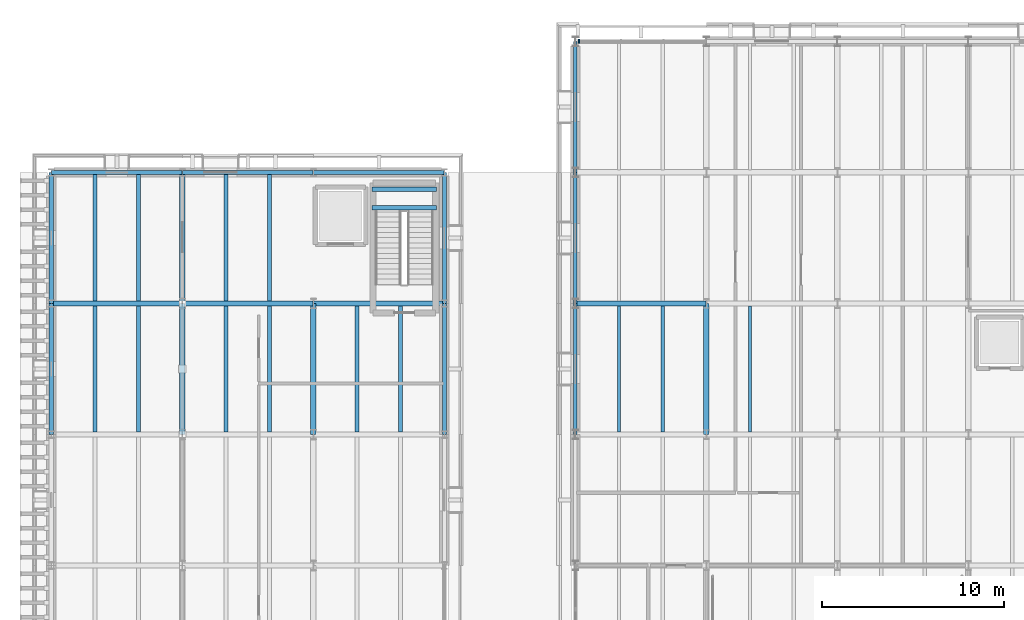
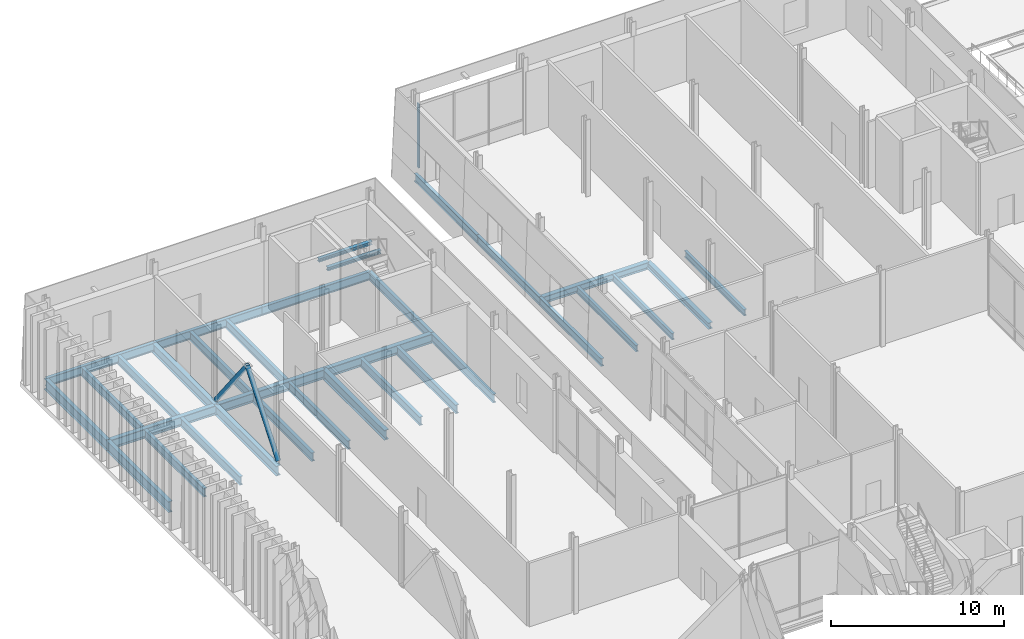
# One storey, part 31 of 120: 33 beams, 3 members, 1 element without a shape of its own.
"""IFC4 building model written with IfcOpenShell, lengths in metres."""

import ifcopenshell
import ifcopenshell.guid

model = None  # the IFC model being written
_history = None  # IfcOwnerHistory: only IFC2X3 demands one
_inside = {}  # id of a spatial element -> (the spatial element, [elements in it])
_under = {}  # id of a project, library or spatial element -> (it, [spatial elements below it])
_declared = {}  # id of a project -> (the project, [libraries it declares])
_typed = {}  # id of a type object -> (the type object, [elements of that type])
_made_of = {}  # id of a material, layer set ... -> (it, [elements and type objects made of it])


def new_model(schema):
    """Start an empty IFC model of exactly this schema.

    Asked for "IFC4X3", IfcOpenShell would pick the latest addendum, in which some entities
    have other attributes; the version numbers below select the first issue.
    IFC2X3 requires an IfcOwnerHistory on every rooted entity: one is made here for all.
    """
    global model, _history
    if schema == "IFC4X3":
        model = ifcopenshell.file(schema_version=(4, 3, 0, 0))
    else:
        model = ifcopenshell.file(schema=schema)
    _inside.clear()
    _under.clear()
    _declared.clear()
    _typed.clear()
    _made_of.clear()
    _history = None
    if model.schema == "IFC2X3":
        org = make("IfcOrganization", Name="unknown")
        user = make(
            "IfcPersonAndOrganization",
            ThePerson=make("IfcPerson", FamilyName="unknown"),
            TheOrganization=org,
        )
        app = make(
            "IfcApplication",
            ApplicationDeveloper=org,
            Version="unknown",
            ApplicationFullName="unknown",
            ApplicationIdentifier="unknown",
        )
        _history = make(
            "IfcOwnerHistory",
            OwningUser=user,
            OwningApplication=app,
            ChangeAction="ADDED",
            CreationDate=0,
        )
    return model


def make(cls, **values):
    """One entity of the class cls with the attributes given. An attribute that is None is left unset."""
    return model.create_entity(
        cls, **{name: value for name, value in values.items() if value is not None}
    )


def rooted(cls, **values):
    """An entity with a GlobalId (a new one), such as an element, a storey or a relation."""
    return make(cls, GlobalId=ifcopenshell.guid.new(), OwnerHistory=_history, **values)


def si_unit(unit_type, name, prefix=None):
    """IfcSIUnit, for example si_unit("LENGTHUNIT", "METRE", prefix="MILLI")."""
    return make("IfcSIUnit", UnitType=unit_type, Prefix=prefix, Name=name)


def assignment(units):
    """IfcUnitAssignment: the units of a project."""
    return None if units is None else make("IfcUnitAssignment", Units=units)


def point(xyz):
    """IfcCartesianPoint."""
    return None if xyz is None else make("IfcCartesianPoint", Coordinates=xyz)


def direction(xyz):
    """IfcDirection."""
    return None if xyz is None else make("IfcDirection", DirectionRatios=xyz)


def frame(location, z_axis=None, x_axis=None):
    """IfcAxis2Placement3D, a coordinate frame: its origin and axes. An axis left out is left unset."""
    return make(
        "IfcAxis2Placement3D",
        Location=point(location),
        Axis=direction(z_axis),
        RefDirection=direction(x_axis),
    )


def frame_2d(location, x_axis=None):
    """IfcAxis2Placement2D, a coordinate frame in the plane: its origin and x axis."""
    return make(
        "IfcAxis2Placement2D", Location=point(location), RefDirection=direction(x_axis)
    )


def origin():
    """The frame at (0, 0, 0) with its axes left unset."""
    return frame((0.0, 0.0, 0.0))


def origin_2d():
    """The frame at (0, 0) in the plane with its x axis left unset."""
    return frame_2d((0.0, 0.0))


def place(relative_to, where):
    """IfcLocalPlacement: puts the frame where relative to a parent placement (None: the world)."""
    return make(
        "IfcLocalPlacement", PlacementRelTo=relative_to, RelativePlacement=where
    )


def context(
    kind, dimensions, precision=None, world=None, true_north=None, identifier=None
):
    """IfcGeometricRepresentationContext, for example the 3D "Model" context."""
    return make(
        "IfcGeometricRepresentationContext",
        ContextIdentifier=identifier,
        ContextType=kind,
        CoordinateSpaceDimension=dimensions,
        Precision=precision,
        WorldCoordinateSystem=world,
        TrueNorth=true_north,
    )


def subcontext(parent, identifier, kind, view, scale=None):
    """IfcGeometricRepresentationSubContext, for example "Body" below "Model"."""
    return make(
        "IfcGeometricRepresentationSubContext",
        ContextIdentifier=identifier,
        ContextType=kind,
        ParentContext=parent,
        TargetScale=scale,
        TargetView=view,
    )


def project(units=None, contexts=None):
    """IfcProject with its units and contexts."""
    return rooted(
        "IfcProject",
        Name="project",
        RepresentationContexts=contexts,
        UnitsInContext=assignment(units),
    )


def spatial(cls, under=None, at=None, **own):
    """A site, building, storey or space (cls), placed at a placement, below another one or the project."""
    s = rooted(cls, ObjectPlacement=at, **own)
    if under is not None:
        _under.setdefault(under.id(), (under, []))[1].append(s)
    return s


def profile(cls, at=None, kind="AREA", **sizes):
    """A parametric profile (cls). Its sizes go by their IFC names, for example OverallWidth=200.0."""
    return make(cls, ProfileType=kind, Position=at, **sizes)


def rectangle(**sizes):
    """IfcRectangleProfileDef."""
    return profile("IfcRectangleProfileDef", **sizes)


def hollow_circle(**sizes):
    """IfcCircleHollowProfileDef."""
    return profile("IfcCircleHollowProfileDef", **sizes)


def i_section(**sizes):
    """IfcIShapeProfileDef."""
    return profile("IfcIShapeProfileDef", **sizes)


def extrude(swept, where, along, depth):
    """IfcExtrudedAreaSolid: the profile swept, set in the frame where, extruded along a direction by depth."""
    return make(
        "IfcExtrudedAreaSolid",
        SweptArea=swept,
        Position=where,
        ExtrudedDirection=direction(along),
        Depth=depth,
    )


def shape(context_of_items, identifier, shape_type, items):
    """IfcShapeRepresentation: the items that make up one representation, for example the "Body"."""
    return make(
        "IfcShapeRepresentation",
        ContextOfItems=context_of_items,
        RepresentationIdentifier=identifier,
        RepresentationType=shape_type,
        Items=items,
    )


def material(Name=None, Category=None):
    """IfcMaterial."""
    return make("IfcMaterial", Name=Name, Category=Category)


def layer(
    of_material, thickness, ventilated=None, Name=None, Category=None, Priority=None
):
    """IfcMaterialLayer: one layer of a wall or slab, of a material (None: an air gap)."""
    return make(
        "IfcMaterialLayer",
        Material=of_material,
        LayerThickness=thickness,
        IsVentilated=ventilated,
        Name=Name,
        Category=Category,
        Priority=Priority,
    )


def layer_set(layers, Name=None):
    """IfcMaterialLayerSet."""
    return make("IfcMaterialLayerSet", MaterialLayers=layers, LayerSetName=Name)


def material_profile(
    of_material, cross_section, Name=None, Category=None, Priority=None
):
    """IfcMaterialProfile: a cross section and its material."""
    return make(
        "IfcMaterialProfile",
        Name=Name,
        Material=of_material,
        Profile=cross_section,
        Priority=Priority,
        Category=Category,
    )


def profile_set(profiles, Name=None, composite=None):
    """IfcMaterialProfileSet."""
    return make(
        "IfcMaterialProfileSet",
        Name=Name,
        MaterialProfiles=profiles,
        CompositeProfile=composite,
    )


def made_of(thing, what):
    """Note that an element or type object is made of a material, layer set ...; save() writes the relation."""
    if what is not None:
        _made_of.setdefault(what.id(), (what, []))[1].append(thing)
    return thing


def type_object(cls, material=None, **own):
    """A type object (cls), such as IfcWallType, which elements share."""
    return made_of(rooted(cls, **own), material)


def element(
    cls,
    number,
    at=None,
    inside=None,
    cuts=None,
    type_object=None,
    material=None,
    context=None,
    identifier="Body",
    shape_type=None,
    held_by="IfcProductDefinitionShape",
    body=None,
    shapes=None,
    **own,
):
    """One element of the class cls, such as IfcWall. Its Tag is "e" and its number.

    at: its placement. inside: the storey or other place that contains it. cuts: it is an
    opening in that element (IfcRelVoidsElement). A single representation is given by context,
    identifier, shape_type and body (its items); several are given by shapes. held_by: the class
    of the entity that holds the representations. save() writes the other relations.
    """
    e = rooted(cls, Tag="e%d" % number, ObjectPlacement=at, **own)
    if body is not None:
        shapes = [shape(context, identifier, shape_type, body)]
    if shapes is not None:
        e.Representation = make(held_by, Representations=shapes)
    if inside is not None:
        _inside.setdefault(inside.id(), (inside, []))[1].append(e)
    if cuts is not None:
        rooted(
            "IfcRelVoidsElement", RelatingBuildingElement=cuts, RelatedOpeningElement=e
        )
    if type_object is not None:
        _typed.setdefault(type_object.id(), (type_object, []))[1].append(e)
    return made_of(e, material)


def aggregate(whole, parts):
    """IfcRelAggregates: a whole, such as a stair, and the parts it consists of."""
    return rooted("IfcRelAggregates", RelatingObject=whole, RelatedObjects=parts)


def save(model, path):
    """Write the relations noted so far, then the file.

    IfcRelAggregates (storeys below a building ...), IfcRelContainedInSpatialStructure (elements
    in a storey), IfcRelDefinesByType, IfcRelAssociatesMaterial and IfcRelDeclares: one each for
    every whole, place, type object, material and project.
    """
    for whole, parts in _under.values():
        aggregate(whole, parts)
    for where, things in _inside.values():
        rooted(
            "IfcRelContainedInSpatialStructure",
            RelatedElements=things,
            RelatingStructure=where,
        )
    for kind, things in _typed.values():
        rooted("IfcRelDefinesByType", RelatedObjects=things, RelatingType=kind)
    for what, things in _made_of.values():
        rooted("IfcRelAssociatesMaterial", RelatedObjects=things, RelatingMaterial=what)
    for by, libraries in _declared.values():
        rooted("IfcRelDeclares", RelatingContext=by, RelatedDefinitions=libraries)
    model.write(path)


model = new_model("IFC4")

# Units and contexts
model_context = context("Model", 3, precision=1e-05, world=origin(), true_north=direction((0.0, 1.0)))
body_context = subcontext(model_context, "Body", "Model", "MODEL_VIEW")
ifc_project = project(units=[si_unit("LENGTHUNIT", "METRE"), si_unit("AREAUNIT", "SQUARE_METRE"), si_unit("VOLUMEUNIT", "CUBIC_METRE"), si_unit("PLANEANGLEUNIT", "RADIAN"), si_unit("MASSUNIT", "GRAM", prefix="KILO")], contexts=[model_context])

# Site, building, storey
site_placement = place(None, origin())
site = spatial("IfcSite", under=ifc_project, at=site_placement, CompositionType="ELEMENT")
building_placement = place(site_placement, origin())
building = spatial("IfcBuilding", under=site, at=building_placement, Name="Narikvali Park Central Library", CompositionType="ELEMENT")
storey_placement = place(building_placement, origin())
storey = spatial("IfcBuildingStorey", under=building, at=storey_placement, Name="L00", CompositionType="ELEMENT", Elevation=0.0)

# Beams
ifc_material_1 = material(Name="Steel S355", Category="steel")
ifc_material_profile_1 = material_profile(ifc_material_1, i_section(OverallWidth=0.219970703125, OverallDepth=0.60009765625, WebThickness=0.011962890625, FlangeThickness=0.01904296875, FilletRadius=0.02392578125, at=origin_2d()), Name="IPE 600")
ifc_profile_set_1 = profile_set([ifc_material_profile_1], Name="Steel S355")
beam_type_1 = type_object("IfcBeamType", Name="Compact Archive Joist IPE600", PredefinedType="JOIST", material=ifc_profile_set_1)
for number, where, z_axis, x_axis, name in (
    (1, (2.39990234375, 93.75, -0.6201171875), (0.0, 1.0, 0.0), (-1.0, 0.0, 0.0), "V5 L00 Composite Joist 1"),
    (2, (4.800048828125, 93.75, -0.6201171875), (0.0, 1.0, 0.0), (-1.0, 0.0, 0.0), "V5 L00 Composite Joist 2"),
):
    element("IfcBeam", number, at=place(storey_placement, frame(where, z_axis=z_axis, x_axis=x_axis)), inside=storey, type_object=beam_type_1, Name=name, PredefinedType="JOIST", context=body_context, shape_type="SweptSolid", body=[
        extrude(i_section(OverallWidth=0.219970703125, OverallDepth=0.60009765625, WebThickness=0.011962890625, FlangeThickness=0.01904296875, FilletRadius=0.02392578125, at=origin_2d()), origin(), (0.0, 0.0, 1.0), 6.89990234375),
    ])
for number, where, z_axis, x_axis, name in (
    (3, (2.39990234375, 100.949951171875, -0.6201171875), (0.0, 1.0, 0.0), (-1.0, 0.0, 0.0), "V5 L00 Composite Joist 1"),
    (4, (4.800048828125, 100.949951171875, -0.6201171875), (0.0, 1.0, 0.0), (-1.0, 0.0, 0.0), "V5 L00 Composite Joist 2"),
):
    element("IfcBeam", number, at=place(storey_placement, frame(where, z_axis=z_axis, x_axis=x_axis)), inside=storey, type_object=beam_type_1, Name=name, PredefinedType="JOIST", context=body_context, shape_type="SweptSolid", body=[
        extrude(i_section(OverallWidth=0.219970703125, OverallDepth=0.60009765625, WebThickness=0.011962890625, FlangeThickness=0.01904296875, FilletRadius=0.02392578125, at=origin_2d()), origin(), (0.0, 0.0, 1.0), 6.93994140625),
    ])
for number, where, z_axis, x_axis, name in (
    (5, (9.60009765625, 93.75, -0.6201171875), (0.0, 1.0, 0.0), (-1.0, 0.0, 0.0), "V5 L00 Composite Joist 1"),
    (6, (12.0, 93.75, -0.6201171875), (0.0, 1.0, 0.0), (-1.0, 0.0, 0.0), "V5 L00 Composite Joist 2"),
):
    element("IfcBeam", number, at=place(storey_placement, frame(where, z_axis=z_axis, x_axis=x_axis)), inside=storey, type_object=beam_type_1, Name=name, PredefinedType="JOIST", context=body_context, shape_type="SweptSolid", body=[
        extrude(i_section(OverallWidth=0.219970703125, OverallDepth=0.60009765625, WebThickness=0.011962890625, FlangeThickness=0.01904296875, FilletRadius=0.02392578125, at=origin_2d()), origin(), (0.0, 0.0, 1.0), 6.89990234375),
    ])
for number, where, z_axis, x_axis, name in (
    (7, (9.60009765625, 100.949951171875, -0.6201171875), (0.0, 1.0, 0.0), (-1.0, 0.0, 0.0), "V5 L00 Composite Joist 1"),
    (8, (12.0, 100.949951171875, -0.6201171875), (0.0, 1.0, 0.0), (-1.0, 0.0, 0.0), "V5 L00 Composite Joist 2"),
):
    element("IfcBeam", number, at=place(storey_placement, frame(where, z_axis=z_axis, x_axis=x_axis)), inside=storey, type_object=beam_type_1, Name=name, PredefinedType="JOIST", context=body_context, shape_type="SweptSolid", body=[
        extrude(i_section(OverallWidth=0.219970703125, OverallDepth=0.60009765625, WebThickness=0.011962890625, FlangeThickness=0.01904296875, FilletRadius=0.02392578125, at=origin_2d()), origin(), (0.0, 0.0, 1.0), 6.93994140625),
    ])
for number, where, z_axis, x_axis, name in (
    (9, (16.800048828125, 93.75, -0.6201171875), (0.0, 1.0, 0.0), (-1.0, 0.0, 0.0), "V5 L00 Composite Joist 1"),
    (10, (19.199951171875, 93.75, -0.6201171875), (0.0, 1.0, 0.0), (-1.0, 0.0, 0.0), "V5 L00 Composite Joist 2"),
):
    element("IfcBeam", number, at=place(storey_placement, frame(where, z_axis=z_axis, x_axis=x_axis)), inside=storey, type_object=beam_type_1, Name=name, PredefinedType="JOIST", context=body_context, shape_type="SweptSolid", body=[
        extrude(i_section(OverallWidth=0.219970703125, OverallDepth=0.60009765625, WebThickness=0.011962890625, FlangeThickness=0.01904296875, FilletRadius=0.02392578125, at=origin_2d()), origin(), (0.0, 0.0, 1.0), 6.89990234375),
    ])
ifc_material_profile_2 = material_profile(ifc_material_1, i_section(OverallWidth=0.300048828125, OverallDepth=0.68994140625, WebThickness=0.014404296875, FlangeThickness=0.027099609375, FilletRadius=0.027099609375, at=origin_2d()), Name="HEA 700")
ifc_profile_set_2 = profile_set([ifc_material_profile_2], Name="Steel S355")
beam_type_2 = type_object("IfcBeamType", Name="Compact Vault Girder HEA700", PredefinedType="BEAM", material=ifc_profile_set_2)
beam_1_placement = place(storey_placement, frame((7.199951171875, 93.60791015625, -0.6650390625), z_axis=(0.0, 1.0, 0.0), x_axis=(-1.0, 0.0, 0.0)))
element("IfcBeam", 11, at=beam_1_placement, inside=storey, type_object=beam_type_2, Name="V5 L00 Girder Y", PredefinedType="BEAM", context=body_context, shape_type="SweptSolid", body=[
    extrude(i_section(OverallWidth=0.300048828125, OverallDepth=0.68994140625, WebThickness=0.014404296875, FlangeThickness=0.027099609375, FilletRadius=0.027099609375, at=origin_2d()), origin(), (0.0, 0.0, 1.0), 7.18408203125),
])
beam_2_placement = place(storey_placement, frame((7.199951171875, 100.80810546875, -0.6650390625), z_axis=(0.0, 1.0, 0.0), x_axis=(-1.0, 0.0, 0.0)))
element("IfcBeam", 12, at=beam_2_placement, inside=storey, type_object=beam_type_2, Name="V5 L00 Girder Y", PredefinedType="BEAM", context=body_context, shape_type="SweptSolid", body=[
    extrude(i_section(OverallWidth=0.300048828125, OverallDepth=0.68994140625, WebThickness=0.014404296875, FlangeThickness=0.027099609375, FilletRadius=0.027099609375, at=origin_2d()), origin(), (0.0, 0.0, 1.0), 7.183837890625),
])
beam_3_placement = place(storey_placement, frame((14.39990234375, 93.60791015625, -0.6650390625), z_axis=(0.0, 1.0, 0.0), x_axis=(-1.0, 0.0, 0.0)))
element("IfcBeam", 13, at=beam_3_placement, inside=storey, type_object=beam_type_2, Name="V5 L00 Girder Y", PredefinedType="BEAM", context=body_context, shape_type="SweptSolid", body=[
    extrude(i_section(OverallWidth=0.300048828125, OverallDepth=0.68994140625, WebThickness=0.014404296875, FlangeThickness=0.027099609375, FilletRadius=0.027099609375, at=origin_2d()), origin(), (0.0, 0.0, 1.0), 7.18408203125),
])
ifc_material_profile_3 = material_profile(ifc_material_1, i_section(OverallWidth=0.18994140625, OverallDepth=0.449951171875, WebThickness=0.009521484375, FlangeThickness=0.0146484375, FilletRadius=0.02099609375, at=origin_2d()), Name="IPE 450")
ifc_profile_set_3 = profile_set([ifc_material_profile_3], Name="Steel S355")
beam_type_3 = type_object("IfcBeamType", Name="Composite Floor Joist IPE450", PredefinedType="JOIST", material=ifc_profile_set_3)
for number, where, z_axis, x_axis, name in (
    (14, (31.199951171875, 93.75, -0.544921875), (0.0, 1.0, 0.0), (-1.0, 0.0, 0.0), "V4 L00 Composite Joist 1"),
    (15, (33.60009765625, 93.75, -0.544921875), (0.0, 1.0, 0.0), (-1.0, 0.0, 0.0), "V4 L00 Composite Joist 2"),
    (16, (38.39990234375, 93.75, -0.544921875), (0.0, 1.0, 0.0), (-1.0, 0.0, 0.0), "V4 L00 Composite Joist 1"),
):
    element("IfcBeam", number, at=place(storey_placement, frame(where, z_axis=z_axis, x_axis=x_axis)), inside=storey, type_object=beam_type_3, Name=name, PredefinedType="JOIST", context=body_context, shape_type="SweptSolid", body=[
        extrude(i_section(OverallWidth=0.18994140625, OverallDepth=0.449951171875, WebThickness=0.009521484375, FlangeThickness=0.0146484375, FilletRadius=0.02099609375, at=origin_2d()), origin(), (0.0, 0.0, 1.0), 6.89990234375),
    ])
ifc_material_profile_4 = material_profile(ifc_material_1, i_section(OverallWidth=0.239990234375, OverallDepth=0.239990234375, WebThickness=0.010009765625, FlangeThickness=0.01708984375, FilletRadius=0.02099609375, at=origin_2d()), Name="HEB 240")
ifc_profile_set_4 = profile_set([ifc_material_profile_4], Name="Steel S355")
beam_type_4 = type_object("IfcBeamType", Name="Core Trimmer Girder HEB240", PredefinedType="BEAM", material=ifc_profile_set_4)
for number, where, z_axis, x_axis, name in (
    (17, (17.6201171875, 106.06005859375, 2.3798828125), (1.0, 0.0, 0.0), (0.0, 1.0, 0.0), "ST-10 L00 Landing Trimmer Beam 1-1"),
    (18, (17.6201171875, 107.080078125, 2.3798828125), (1.0, 0.0, 0.0), (0.0, 1.0, 0.0), "ST-10 L00 Landing Trimmer Beam 1-2"),
):
    element("IfcBeam", number, at=place(storey_placement, frame(where, z_axis=z_axis, x_axis=x_axis)), inside=storey, type_object=beam_type_4, Name=name, PredefinedType="BEAM", context=body_context, shape_type="SweptSolid", body=[
        extrude(i_section(OverallWidth=0.239990234375, OverallDepth=0.239990234375, WebThickness=0.010009765625, FlangeThickness=0.01708984375, FilletRadius=0.02099609375, at=origin_2d()), origin(), (0.0, 0.0, 1.0), 3.559814453125),
    ])

# Curtain wall, member
ifc_material_2 = material(Name="Anodised Bronze Aluminium", Category="aluminium")
ifc_layer = layer(ifc_material_2, 0.219970703125, Name="Anodised Bronze Aluminium")
ifc_layer_set = layer_set([ifc_layer], Name="Anodised Bronze Aluminium")
curtain_wall_type = type_object("IfcCurtainWallType", Name="Atrium Tall Curtain Wall System", PredefinedType="NOTDEFINED", material=ifc_layer_set)
curtain_wall_placement = place(storey_placement, origin())
curtain_wall = element("IfcCurtainWall", 19, at=curtain_wall_placement, inside=storey, type_object=curtain_wall_type, Name="Atrium Tall Curtain Wall System CW-V4-L00-N-04", PredefinedType="NOTDEFINED")
ifc_material_profile_5 = material_profile(ifc_material_2, rectangle(XDim=0.074951171875, YDim=0.219970703125, at=origin_2d()), Name="CW MULLION 75x220")
ifc_profile_set_5 = profile_set([ifc_material_profile_5], Name="Anodised Bronze Aluminium")
member_type_1 = type_object("IfcMemberType", Name="Curtain Wall Heavy Mullion 75x220", PredefinedType="MULLION", material=ifc_profile_set_5)
member_placement = place(storey_placement, frame((28.991943359375, 115.199951171875, -0.010009765625), z_axis=(0.0, 0.0, 1.0), x_axis=(1.0, 0.0, 0.0)))
member = element("IfcMember", 20, at=member_placement, type_object=member_type_1, Name="CW-V4-L00-N-04 Mullion 03", PredefinedType="MULLION", context=body_context, shape_type="SweptSolid", body=[
    extrude(rectangle(XDim=0.074951171875, YDim=0.219970703125, at=origin_2d()), origin(), (0.0, 0.0, 1.0), 4.510009765625),
])
aggregate(curtain_wall, [member])

# Beams
ifc_material_profile_6 = material_profile(ifc_material_1, i_section(OverallWidth=0.300048828125, OverallDepth=0.64990234375, WebThickness=0.01611328125, FlangeThickness=0.031005859375, FilletRadius=0.027099609375, at=origin_2d()), Name="HEB 650")
ifc_profile_set_6 = profile_set([ifc_material_profile_6], Name="Steel S355")
beam_type_5 = type_object("IfcBeamType", Name="Dome Tension Ring Beam HEB650", PredefinedType="BEAM", material=ifc_profile_set_6)
beam_4_placement = place(storey_placement, frame((0.008056640625, 100.800048828125, -0.64501953125), z_axis=(1.0, 0.0, 0.0), x_axis=(0.0, 1.0, 0.0)))
element("IfcBeam", 21, at=beam_4_placement, inside=storey, type_object=beam_type_5, Name="V5 L00 Girder X", PredefinedType="BEAM", context=body_context, shape_type="SweptSolid", body=[
    extrude(i_section(OverallWidth=0.300048828125, OverallDepth=0.64990234375, WebThickness=0.01611328125, FlangeThickness=0.031005859375, FilletRadius=0.027099609375, at=origin_2d()), origin(), (0.0, 0.0, 1.0), 7.183837890625),
])
for number, where, z_axis, x_axis, name in (
    (22, (7.2080078125, 100.800048828125, -0.64501953125), (1.0, 0.0, 0.0), (0.0, 1.0, 0.0), "V5 L00 Girder X"),
    (23, (14.407958984375, 100.800048828125, -0.64501953125), (1.0, 0.0, 0.0), (0.0, 1.0, 0.0), "V5 L00 Girder X"),
):
    element("IfcBeam", number, at=place(storey_placement, frame(where, z_axis=z_axis, x_axis=x_axis)), inside=storey, type_object=beam_type_5, Name=name, PredefinedType="BEAM", context=body_context, shape_type="SweptSolid", body=[
        extrude(i_section(OverallWidth=0.300048828125, OverallDepth=0.64990234375, WebThickness=0.01611328125, FlangeThickness=0.031005859375, FilletRadius=0.027099609375, at=origin_2d()), origin(), (0.0, 0.0, 1.0), 7.18408203125),
    ])
ifc_material_profile_7 = material_profile(ifc_material_1, i_section(OverallWidth=0.264892578125, OverallDepth=0.7529296875, WebThickness=0.01318359375, FlangeThickness=0.01708984375, FilletRadius=0.01708984375, at=origin_2d()), Name="IPE 750x147")
ifc_profile_set_7 = profile_set([ifc_material_profile_7], Name="Steel S355")
beam_type_6 = type_object("IfcBeamType", Name="Fin Facade Spandrel IPE750", PredefinedType="SPANDREL", material=ifc_profile_set_7)
beam_5_placement = place(storey_placement, frame((0.0, 93.60791015625, -0.696533203125), z_axis=(0.0, 1.0, 0.0), x_axis=(-1.0, 0.0, 0.0)))
element("IfcBeam", 24, at=beam_5_placement, inside=storey, type_object=beam_type_6, Name="V5 L00 Girder Y", PredefinedType="SPANDREL", context=body_context, shape_type="SweptSolid", body=[
    extrude(i_section(OverallWidth=0.264892578125, OverallDepth=0.7529296875, WebThickness=0.01318359375, FlangeThickness=0.01708984375, FilletRadius=0.01708984375, at=origin_2d()), origin(), (0.0, 0.0, 1.0), 7.18408203125),
])
beam_6_placement = place(storey_placement, frame((0.0, 100.80810546875, -0.696533203125), z_axis=(0.0, 1.0, 0.0), x_axis=(-1.0, 0.0, 0.0)))
element("IfcBeam", 25, at=beam_6_placement, inside=storey, type_object=beam_type_6, Name="V5 L00 Girder Y", PredefinedType="SPANDREL", context=body_context, shape_type="SweptSolid", body=[
    extrude(i_section(OverallWidth=0.264892578125, OverallDepth=0.7529296875, WebThickness=0.01318359375, FlangeThickness=0.01708984375, FilletRadius=0.01708984375, at=origin_2d()), origin(), (0.0, 0.0, 1.0), 7.183837890625),
])

# Members
ifc_material_profile_8 = material_profile(ifc_material_1, hollow_circle(Radius=0.149169921875, WallThickness=0.01416015625, at=origin_2d()), Name="CHS 298.5x14.2")
ifc_profile_set_8 = profile_set([ifc_material_profile_8], Name="Steel S355")
member_type_2 = type_object("IfcMemberType", Name="Heavy Archive Ground Brace CHS298x14", PredefinedType="BRACE", material=ifc_profile_set_8)
for number, where, z_axis, x_axis, name in (
    (26, (7.199951171875, 93.614990234375, 0.014892578125), (0.0, 0.617611627084, 0.786483234462), (-1.0, 0.0, 0.0), "V5 L00 Seismic Chevron Brace A"),
    (27, (7.199951171875, 100.784912109375, 0.014892578125), (0.0, -0.617611627084, 0.786483234462), (1.0, 0.0, 0.0), "V5 L00 Seismic Chevron Brace B"),
):
    element("IfcMember", number, at=place(storey_placement, frame(where, z_axis=z_axis, x_axis=x_axis)), inside=storey, type_object=member_type_2, Name=name, PredefinedType="BRACE", context=body_context, shape_type="SweptSolid", body=[
        extrude(hollow_circle(Radius=0.149169921875, WallThickness=0.01416015625, at=origin_2d()), origin(), (0.0, 0.0, 1.0), 5.804443359375),
    ])

# Beams
ifc_material_profile_9 = material_profile(ifc_material_1, i_section(OverallWidth=0.2099609375, OverallDepth=0.550048828125, WebThickness=0.010986328125, FlangeThickness=0.01708984375, FilletRadius=0.02392578125, at=origin_2d()), Name="IPE 550")
ifc_profile_set_9 = profile_set([ifc_material_profile_9], Name="Steel S355")
beam_type_7 = type_object("IfcBeamType", Name="Perimeter Spandrel IPE550", PredefinedType="SPANDREL", material=ifc_profile_set_9)
beam_7_placement = place(storey_placement, frame((28.800048828125, 93.60791015625, -0.594970703125), z_axis=(0.0, 1.0, 0.0), x_axis=(-1.0, 0.0, 0.0)))
element("IfcBeam", 28, at=beam_7_placement, inside=storey, type_object=beam_type_7, Name="V4 L00 Girder Y", PredefinedType="SPANDREL", context=body_context, shape_type="SweptSolid", body=[
    extrude(i_section(OverallWidth=0.2099609375, OverallDepth=0.550048828125, WebThickness=0.010986328125, FlangeThickness=0.01708984375, FilletRadius=0.02392578125, at=origin_2d()), origin(), (0.0, 0.0, 1.0), 7.18408203125),
])
for number, where, z_axis, x_axis, name in (
    (29, (28.800048828125, 100.80810546875, -0.594970703125), (0.0, 1.0, 0.0), (-1.0, 0.0, 0.0), "V4 L00 Girder Y"),
    (30, (28.800048828125, 108.008056640625, -0.594970703125), (0.0, 1.0, 0.0), (-1.0, 0.0, 0.0), "V4 L00 Girder Y"),
):
    element("IfcBeam", number, at=place(storey_placement, frame(where, z_axis=z_axis, x_axis=x_axis)), inside=storey, type_object=beam_type_7, Name=name, PredefinedType="SPANDREL", context=body_context, shape_type="SweptSolid", body=[
        extrude(i_section(OverallWidth=0.2099609375, OverallDepth=0.550048828125, WebThickness=0.010986328125, FlangeThickness=0.01708984375, FilletRadius=0.02392578125, at=origin_2d()), origin(), (0.0, 0.0, 1.0), 7.183837890625),
    ])
ifc_material_profile_10 = material_profile(ifc_material_1, i_section(OverallWidth=0.219970703125, OverallDepth=0.60009765625, WebThickness=0.011962890625, FlangeThickness=0.01904296875, FilletRadius=0.02392578125, at=origin_2d()), Name="IPE 600")
ifc_profile_set_10 = profile_set([ifc_material_profile_10], Name="Steel S355")
beam_type_8 = type_object("IfcBeamType", Name="Perimeter Spandrel IPE600", PredefinedType="SPANDREL", material=ifc_profile_set_10)
beam_8_placement = place(storey_placement, frame((0.008056640625, 108.0, -0.6201171875), z_axis=(1.0, 0.0, 0.0), x_axis=(0.0, 1.0, 0.0)))
element("IfcBeam", 31, at=beam_8_placement, inside=storey, type_object=beam_type_8, Name="V5 L00 Girder X", PredefinedType="SPANDREL", context=body_context, shape_type="SweptSolid", body=[
    extrude(i_section(OverallWidth=0.219970703125, OverallDepth=0.60009765625, WebThickness=0.011962890625, FlangeThickness=0.01904296875, FilletRadius=0.02392578125, at=origin_2d()), origin(), (0.0, 0.0, 1.0), 7.183837890625),
])
for number, where, z_axis, x_axis, name in (
    (32, (7.2080078125, 108.0, -0.6201171875), (1.0, 0.0, 0.0), (0.0, 1.0, 0.0), "V5 L00 Girder X"),
    (33, (14.407958984375, 108.0, -0.6201171875), (1.0, 0.0, 0.0), (0.0, 1.0, 0.0), "V5 L00 Girder X"),
    (34, (21.60009765625, 93.60791015625, -0.6201171875), (0.0, 1.0, 0.0), (-1.0, 0.0, 0.0), "V5 L00 Girder Y"),
):
    element("IfcBeam", number, at=place(storey_placement, frame(where, z_axis=z_axis, x_axis=x_axis)), inside=storey, type_object=beam_type_8, Name=name, PredefinedType="SPANDREL", context=body_context, shape_type="SweptSolid", body=[
        extrude(i_section(OverallWidth=0.219970703125, OverallDepth=0.60009765625, WebThickness=0.011962890625, FlangeThickness=0.01904296875, FilletRadius=0.02392578125, at=origin_2d()), origin(), (0.0, 0.0, 1.0), 7.18408203125),
    ])
beam_9_placement = place(storey_placement, frame((21.60009765625, 100.80810546875, -0.6201171875), z_axis=(0.0, 1.0, 0.0), x_axis=(-1.0, 0.0, 0.0)))
element("IfcBeam", 35, at=beam_9_placement, inside=storey, type_object=beam_type_8, Name="V5 L00 Girder Y", PredefinedType="SPANDREL", context=body_context, shape_type="SweptSolid", body=[
    extrude(i_section(OverallWidth=0.219970703125, OverallDepth=0.60009765625, WebThickness=0.011962890625, FlangeThickness=0.01904296875, FilletRadius=0.02392578125, at=origin_2d()), origin(), (0.0, 0.0, 1.0), 7.183837890625),
])
ifc_material_profile_11 = material_profile(ifc_material_1, i_section(OverallWidth=0.300048828125, OverallDepth=0.43994140625, WebThickness=0.011474609375, FlangeThickness=0.02099609375, FilletRadius=0.027099609375, at=origin_2d()), Name="HEA 450")
ifc_profile_set_11 = profile_set([ifc_material_profile_11], Name="Steel S355")
beam_type_9 = type_object("IfcBeamType", Name="Primary Girder HEA450", PredefinedType="BEAM", material=ifc_profile_set_11)
beam_10_placement = place(storey_placement, frame((36.0, 93.60791015625, -0.5400390625), z_axis=(0.0, 1.0, 0.0), x_axis=(-1.0, 0.0, 0.0)))
element("IfcBeam", 36, at=beam_10_placement, inside=storey, type_object=beam_type_9, Name="V4 L00 Girder Y", PredefinedType="BEAM", context=body_context, shape_type="SweptSolid", body=[
    extrude(i_section(OverallWidth=0.300048828125, OverallDepth=0.43994140625, WebThickness=0.011474609375, FlangeThickness=0.02099609375, FilletRadius=0.027099609375, at=origin_2d()), origin(), (0.0, 0.0, 1.0), 7.18408203125),
])
ifc_material_profile_12 = material_profile(ifc_material_1, i_section(OverallWidth=0.300048828125, OverallDepth=0.489990234375, WebThickness=0.011962890625, FlangeThickness=0.02294921875, FilletRadius=0.027099609375, at=origin_2d()), Name="HEA 500")
ifc_profile_set_12 = profile_set([ifc_material_profile_12], Name="Steel S355")
beam_type_10 = type_object("IfcBeamType", Name="Primary Girder HEA500", PredefinedType="BEAM", material=ifc_profile_set_12)
beam_11_placement = place(storey_placement, frame((28.80810546875, 100.800048828125, -0.56494140625), z_axis=(1.0, 0.0, 0.0), x_axis=(0.0, 1.0, 0.0)))
element("IfcBeam", 37, at=beam_11_placement, inside=storey, type_object=beam_type_10, Name="V4 L00 Girder X", PredefinedType="BEAM", context=body_context, shape_type="SweptSolid", body=[
    extrude(i_section(OverallWidth=0.300048828125, OverallDepth=0.489990234375, WebThickness=0.011962890625, FlangeThickness=0.02294921875, FilletRadius=0.027099609375, at=origin_2d()), origin(), (0.0, 0.0, 1.0), 7.183837890625),
])

save(model, "model.ifc")
